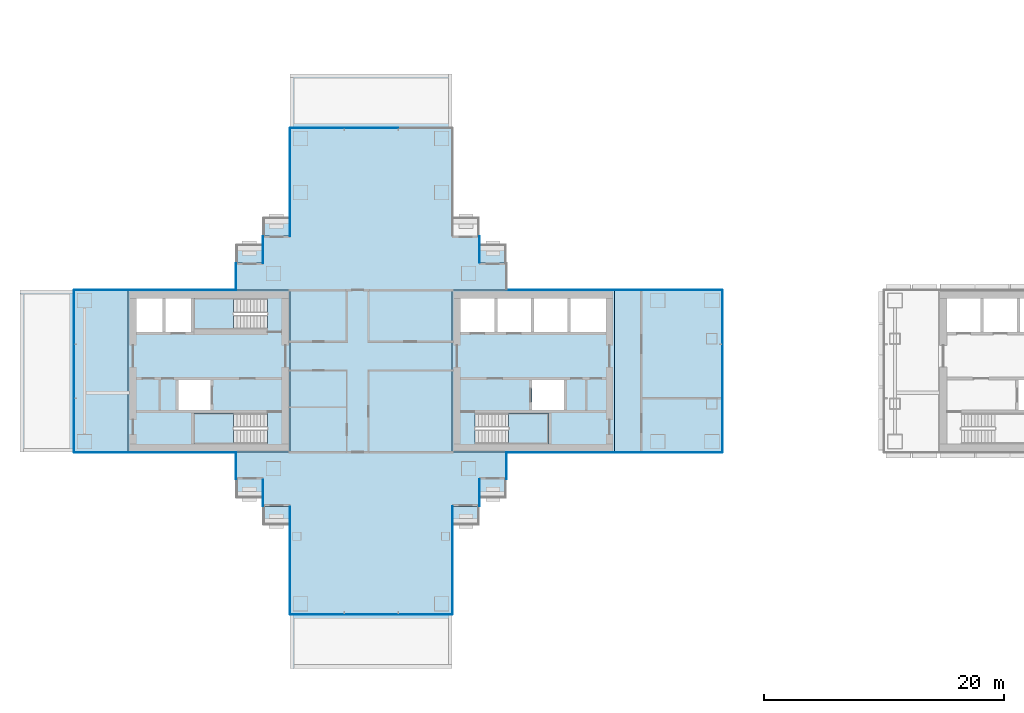
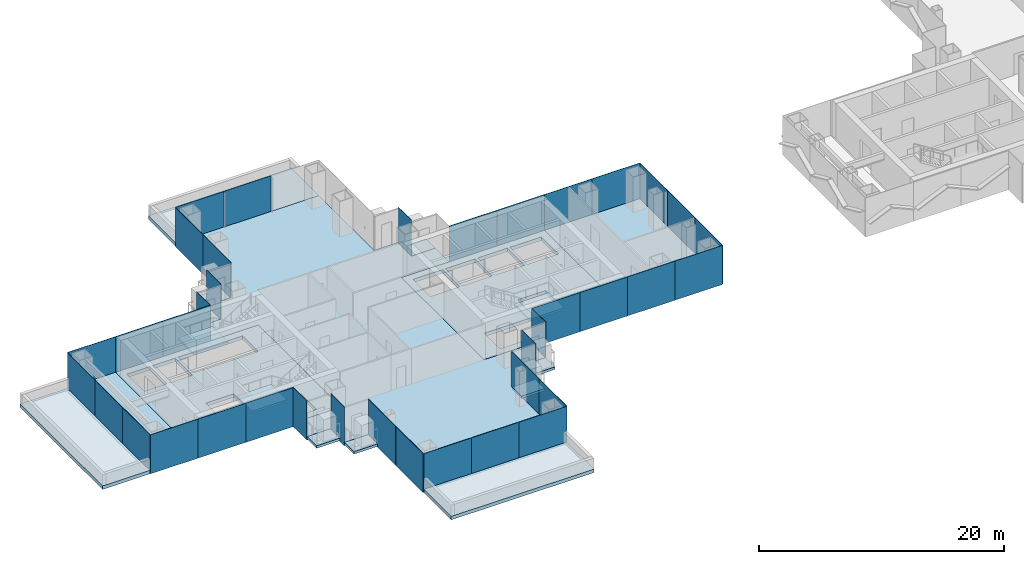
# One storey, part 8 of 20: 38 plates, 18 slabs, 22 elements without a shape of their own.
"""IFC4 building model written with IfcOpenShell, lengths in metres."""

from ifc_helpers import new_model, si_unit, direction, frame, origin, origin_2d, place, context, subcontext, project, spatial, polyline, rectangle, outline, extrude, material, layer, layer_set, type_object, element, aggregate, save


model = new_model("IFC4")

# Units and contexts
model_context = context("Model", 3, precision=1e-05, world=origin(), true_north=direction((0.0, 1.0)))
body_context = subcontext(model_context, "Body", "Model", "MODEL_VIEW")
ifc_project = project(units=[si_unit("LENGTHUNIT", "METRE"), si_unit("AREAUNIT", "SQUARE_METRE"), si_unit("VOLUMEUNIT", "CUBIC_METRE"), si_unit("PLANEANGLEUNIT", "RADIAN"), si_unit("MASSUNIT", "GRAM", prefix="KILO")], contexts=[model_context])

# Site, building, storey
site_placement = place(None, origin())
site = spatial("IfcSite", under=ifc_project, at=site_placement, CompositionType="ELEMENT")
building_placement = place(site_placement, origin())
building = spatial("IfcBuilding", under=site, at=building_placement, Name="Shamsa Quay Exchange Towers", CompositionType="ELEMENT")
storey_placement = place(building_placement, frame((0.0, 0.0, 81.89990234375)))
storey = spatial("IfcBuildingStorey", under=building, at=storey_placement, Name="L18", CompositionType="ELEMENT", Elevation=81.89990234375)

# Slabs
ifc_material_1 = material(Name="Precast concrete C40/50", Category="concrete")
ifc_layer_1 = layer(ifc_material_1, 0.25)
ifc_layer_set_1 = layer_set([ifc_layer_1], Name="BALCONY SLAB 250")
slab_type_1 = type_object("IfcSlabType", Name="BALCONY SLAB 250", PredefinedType="FLOOR", material=ifc_layer_set_1)
slab_1_placement = place(storey_placement, frame((0.0, 0.0, -0.25)))
element("IfcSlab", 1, at=slab_1_placement, inside=storey, type_object=slab_type_1, Name="Balcony T1-PKEN L18", PredefinedType="FLOOR", context=body_context, shape_type="SweptSolid", body=[
    extrude(outline(polyline([(-22.5, 9.0), (-24.7119140625, 9.0), (-24.7119140625, 10.550048828125), (-22.5, 10.550048828125), (-22.5, 9.0)])), origin(), (0.0, 0.0, 1.0), 0.25),
])
slab_2_placement = place(storey_placement, frame((0.0, 0.0, -0.25)))
element("IfcSlab", 2, at=slab_2_placement, inside=storey, type_object=slab_type_1, Name="Balcony T1-PKES L18", PredefinedType="FLOOR", context=body_context, shape_type="SweptSolid", body=[
    extrude(outline(polyline([(-24.7119140625, -9.0), (-22.5, -9.0), (-22.5, -10.550048828125), (-24.7119140625, -10.550048828125), (-24.7119140625, -9.0)])), origin(), (0.0, 0.0, 1.0), 0.25),
])
slab_3_placement = place(storey_placement, frame((0.0, 0.0, -0.25)))
element("IfcSlab", 3, at=slab_3_placement, inside=storey, type_object=slab_type_1, Name="Balcony T1-PKES L18", PredefinedType="FLOOR", context=body_context, shape_type="SweptSolid", body=[
    extrude(outline(polyline([(-26.9619140625, -11.25), (-24.75, -11.25), (-24.75, -12.800048828125), (-26.9619140625, -12.800048828125), (-26.9619140625, -11.25)])), origin(), (0.0, 0.0, 1.0), 0.25),
])
slab_4_placement = place(storey_placement, frame((0.0, 0.0, -0.25)))
element("IfcSlab", 4, at=slab_4_placement, inside=storey, type_object=slab_type_1, Name="Balcony T1-PKWN L18", PredefinedType="FLOOR", context=body_context, shape_type="SweptSolid", body=[
    extrude(outline(polyline([(-40.5380859375, 11.25), (-42.75, 11.25), (-42.75, 12.800048828125), (-40.5380859375, 12.800048828125), (-40.5380859375, 11.25)])), origin(), (0.0, 0.0, 1.0), 0.25),
])
slab_5_placement = place(storey_placement, frame((0.0, 0.0, -0.25)))
element("IfcSlab", 5, at=slab_5_placement, inside=storey, type_object=slab_type_1, Name="Balcony T1-PKWN L18", PredefinedType="FLOOR", context=body_context, shape_type="SweptSolid", body=[
    extrude(outline(polyline([(-42.7880859375, 9.0), (-45.0, 9.0), (-45.0, 10.550048828125), (-42.7880859375, 10.550048828125), (-42.7880859375, 9.0)])), origin(), (0.0, 0.0, 1.0), 0.25),
])
slab_6_placement = place(storey_placement, frame((0.0, 0.0, -0.25)))
element("IfcSlab", 6, at=slab_6_placement, inside=storey, type_object=slab_type_1, Name="Balcony T1-PKWS L18", PredefinedType="FLOOR", context=body_context, shape_type="SweptSolid", body=[
    extrude(outline(polyline([(-45.0, -9.0), (-42.7880859375, -9.0), (-42.7880859375, -10.550048828125), (-45.0, -10.550048828125), (-45.0, -9.0)])), origin(), (0.0, 0.0, 1.0), 0.25),
])
slab_7_placement = place(storey_placement, frame((0.0, 0.0, -0.25)))
element("IfcSlab", 7, at=slab_7_placement, inside=storey, type_object=slab_type_1, Name="Balcony T1-PKWS L18", PredefinedType="FLOOR", context=body_context, shape_type="SweptSolid", body=[
    extrude(outline(polyline([(-42.75, -11.25), (-40.5380859375, -11.25), (-40.5380859375, -12.800048828125), (-42.75, -12.800048828125), (-42.75, -11.25)])), origin(), (0.0, 0.0, 1.0), 0.25),
])
ifc_material_2 = material(Name="Concrete C50/60", Category="concrete")
ifc_layer_2 = layer(ifc_material_2, 0.35009765625)
ifc_layer_set_2 = layer_set([ifc_layer_2], Name="CORE FLOOR 350 C50/60")
slab_type_2 = type_object("IfcSlabType", Name="CORE FLOOR 350 C50/60", PredefinedType="FLOOR", material=ifc_layer_set_2)
slab_8_placement = place(storey_placement, frame((0.0, 0.0, -0.349853515625)))
element("IfcSlab", 8, at=slab_8_placement, inside=storey, type_object=slab_type_2, Name="Core floor T1A", PredefinedType="FLOOR", context=body_context, shape_type="SweptSolid", body=[
    extrude(outline(polyline([(-27.0, -6.75), (-13.5, -6.75), (-13.5, 6.75), (-27.0, 6.75), (-27.0, -6.75)]), holes=[polyline([(-25.099365234375, -6.050048828125), (-25.099365234375, -3.5), (-19.0, -3.5), (-19.0, -6.050048828125), (-25.099365234375, -6.050048828125)]), polyline([(-26.300048828125, 3.25), (-26.300048828125, 6.050048828125), (-23.5, 6.050048828125), (-23.5, 3.25), (-26.300048828125, 3.25)]), polyline([(-23.25, 3.25), (-23.25, 6.050048828125), (-20.449951171875, 6.050048828125), (-20.449951171875, 3.25), (-23.25, 3.25)]), polyline([(-20.199951171875, 3.25), (-20.199951171875, 6.050048828125), (-17.39990234375, 6.050048828125), (-17.39990234375, 3.25), (-20.199951171875, 3.25)]), polyline([(-17.14990234375, 3.25), (-17.14990234375, 6.050048828125), (-14.199951171875, 6.050048828125), (-14.199951171875, 3.25), (-17.14990234375, 3.25)]), polyline([(-20.35009765625, -3.25), (-20.35009765625, -0.75), (-17.699951171875, -0.75), (-17.699951171875, -3.25), (-20.35009765625, -3.25)])]), origin(), (0.0, 0.0, 1.0), 0.349853515625),
])
slab_9_placement = place(storey_placement, frame((0.0, 0.0, -0.349853515625)))
element("IfcSlab", 9, at=slab_9_placement, inside=storey, type_object=slab_type_2, Name="Core floor T1B", PredefinedType="FLOOR", context=body_context, shape_type="SweptSolid", body=[
    extrude(outline(polyline([(-40.5, -6.75), (-40.5, 6.75), (-54.0, 6.75), (-54.0, -6.75), (-40.5, -6.75)]), holes=[polyline([(-42.400634765625, -3.5), (-42.400634765625, -6.050048828125), (-48.5, -6.050048828125), (-48.5, -3.5), (-42.400634765625, -3.5)]), polyline([(-42.400634765625, 6.050048828125), (-42.400634765625, 3.5), (-48.5, 3.5), (-48.5, 6.050048828125), (-42.400634765625, 6.050048828125)]), polyline([(-48.75, 3.25), (-50.89990234375, 3.25), (-50.89990234375, 6.050048828125), (-48.75, 6.050048828125), (-48.75, 3.25)]), polyline([(-51.14990234375, 3.25), (-53.300048828125, 3.25), (-53.300048828125, 6.050048828125), (-51.14990234375, 6.050048828125), (-51.14990234375, 3.25)]), polyline([(-47.14990234375, -3.25), (-49.800048828125, -3.25), (-49.800048828125, -0.75), (-47.14990234375, -0.75), (-47.14990234375, -3.25)])]), origin(), (0.0, 0.0, 1.0), 0.349853515625),
])

# Stair, slab
ifc_material_3 = material(Name="Concrete C40/50", Category="concrete")
stair_type = type_object("IfcStairType", Name="EXIT STAIR 22 RISERS 177 MM", PredefinedType="HALF_TURN_STAIR", material=ifc_material_3)
stair_1_placement = place(storey_placement, origin())
stair_1 = element("IfcStair", 10, at=stair_1_placement, inside=storey, type_object=stair_type, Name="L18 Exit stair ST1", PredefinedType="HALF_TURN_STAIR")
ifc_layer_3 = layer(ifc_material_3, 0.199951171875)
ifc_layer_set_3 = layer_set([ifc_layer_3], Name="CORE STAIR LANDING")
slab_type_3 = type_object("IfcSlabType", Name="CORE STAIR LANDING", PredefinedType="LANDING", material=ifc_layer_set_3)
slab_10_placement = place(storey_placement, frame((0.0, 0.0, 1.75)))
slab_10 = element("IfcSlab", 11, at=slab_10_placement, type_object=slab_type_3, Name="ST1 landing 1", PredefinedType="LANDING", context=body_context, shape_type="SweptSolid", body=[
    extrude(outline(polyline([(-22.300048828125, -6.050048828125), (-19.0, -6.050048828125), (-19.0, -3.5), (-22.300048828125, -3.5), (-22.300048828125, -6.050048828125)])), origin(), (0.0, 0.0, 1.0), 0.2001953125),
])
aggregate(stair_1, [slab_10])

stair_2_placement = place(storey_placement, origin())
stair_2 = element("IfcStair", 12, at=stair_2_placement, inside=storey, type_object=stair_type, Name="L18 Exit stair ST2", PredefinedType="HALF_TURN_STAIR")
slab_11_placement = place(storey_placement, frame((0.0, 0.0, 1.75)))
slab_11 = element("IfcSlab", 13, at=slab_11_placement, type_object=slab_type_3, Name="ST2 landing 1", PredefinedType="LANDING", context=body_context, shape_type="SweptSolid", body=[
    extrude(outline(polyline([(-45.199951171875, -3.5), (-48.5, -3.5), (-48.5, -6.050048828125), (-45.199951171875, -6.050048828125), (-45.199951171875, -3.5)])), origin(), (0.0, 0.0, 1.0), 0.2001953125),
])
aggregate(stair_2, [slab_11])

stair_3_placement = place(storey_placement, origin())
stair_3 = element("IfcStair", 14, at=stair_3_placement, inside=storey, type_object=stair_type, Name="L18 Exit stair ST3", PredefinedType="HALF_TURN_STAIR")
slab_12_placement = place(storey_placement, frame((0.0, 0.0, 1.75)))
slab_12 = element("IfcSlab", 15, at=slab_12_placement, type_object=slab_type_3, Name="ST3 landing 1", PredefinedType="LANDING", context=body_context, shape_type="SweptSolid", body=[
    extrude(outline(polyline([(-45.199951171875, 6.050048828125), (-48.5, 6.050048828125), (-48.5, 3.5), (-45.199951171875, 3.5), (-45.199951171875, 6.050048828125)])), origin(), (0.0, 0.0, 1.0), 0.2001953125),
])
aggregate(stair_3, [slab_12])

# Curtain wall, plates
ifc_material_4 = material(Name="Aluminium EN AW-6063 T6, black anodised", Category="aluminium")
ifc_layer_4 = layer(ifc_material_4, 0.280029296875)
ifc_layer_set_4 = layer_set([ifc_layer_4], Name="CW-1 UNITISED VISION GLASS")
curtain_wall_type_1 = type_object("IfcCurtainWallType", Name="CW-1 UNITISED VISION GLASS", PredefinedType="NOTDEFINED", material=ifc_layer_set_4)
curtain_wall_1_placement = place(storey_placement, origin())
curtain_wall_1 = element("IfcCurtainWall", 16, at=curtain_wall_1_placement, inside=storey, type_object=curtain_wall_type_1, Name="CW1 T1-FLK-V-W L18", PredefinedType="NOTDEFINED")
ifc_material_5 = material(Name="Glass, laminated, dark tinted", Category="glass")
ifc_layer_5 = layer(ifc_material_5, 0.0400390625)
ifc_layer_set_5 = layer_set([ifc_layer_5], Name="CW-1 VISION GLASS 40")
plate_type_1 = type_object("IfcPlateType", Name="CW-1 VISION GLASS 40", PredefinedType="CURTAIN_PANEL", material=ifc_layer_set_5)
plate_1_placement = place(storey_placement, frame((-40.52001953125, -13.52587890625, -0.349853515625), z_axis=(0.0, 0.0, 1.0), x_axis=(0.0, -1.0, 0.0)))
plate_1 = element("IfcPlate", 17, at=plate_1_placement, type_object=plate_type_1, Name="CW1 glass panel", PredefinedType="CURTAIN_PANEL", context=body_context, shape_type="SweptSolid", body=[
    extrude(rectangle(XDim=4.47607421875, YDim=0.0400390625, at=origin_2d()), origin(), (0.0, 0.0, 1.0), 3.89990234375),
])
plate_2_placement = place(storey_placement, frame((-40.52001953125, -18.011962890625, -0.349853515625), z_axis=(0.0, 0.0, 1.0), x_axis=(0.0, -1.0, 0.0)))
plate_2 = element("IfcPlate", 18, at=plate_2_placement, type_object=plate_type_1, Name="CW1 glass panel", PredefinedType="CURTAIN_PANEL", context=body_context, shape_type="SweptSolid", body=[
    extrude(rectangle(XDim=4.47607421875, YDim=0.0400390625, at=origin_2d()), origin(), (0.0, 0.0, 1.0), 3.89990234375),
])
aggregate(curtain_wall_1, [plate_1, plate_2])

curtain_wall_2_placement = place(storey_placement, origin())
curtain_wall_2 = element("IfcCurtainWall", 19, at=curtain_wall_2_placement, inside=storey, type_object=curtain_wall_type_1, Name="CW1 T1-END-V- L18", PredefinedType="NOTDEFINED")
plate_3_placement = place(storey_placement, frame((-38.25244140625, -20.27001953125, -0.349853515625)))
plate_3 = element("IfcPlate", 20, at=plate_3_placement, type_object=plate_type_1, Name="CW1 glass panel", PredefinedType="CURTAIN_PANEL", context=body_context, shape_type="SweptSolid", body=[
    extrude(rectangle(XDim=4.4951171875, YDim=0.0400390625, at=origin_2d()), origin(), (0.0, 0.0, 1.0), 3.89990234375),
])
plate_4_placement = place(storey_placement, frame((-33.75, -20.27001953125, -0.349853515625)))
plate_4 = element("IfcPlate", 21, at=plate_4_placement, type_object=plate_type_1, Name="CW1 glass panel", PredefinedType="CURTAIN_PANEL", context=body_context, shape_type="SweptSolid", body=[
    extrude(rectangle(XDim=4.489990234375, YDim=0.0400390625, at=origin_2d()), origin(), (0.0, 0.0, 1.0), 3.89990234375),
])
plate_5_placement = place(storey_placement, frame((-29.24755859375, -20.27001953125, -0.349853515625)))
plate_5 = element("IfcPlate", 22, at=plate_5_placement, type_object=plate_type_1, Name="CW1 glass panel", PredefinedType="CURTAIN_PANEL", context=body_context, shape_type="SweptSolid", body=[
    extrude(rectangle(XDim=4.4951171875, YDim=0.0400390625, at=origin_2d()), origin(), (0.0, 0.0, 1.0), 3.89990234375),
])
aggregate(curtain_wall_2, [plate_3, plate_4, plate_5])

curtain_wall_3_placement = place(storey_placement, origin())
curtain_wall_3 = element("IfcCurtainWall", 23, at=curtain_wall_3_placement, inside=storey, type_object=curtain_wall_type_1, Name="CW1 T1-FLK-V-E L18", PredefinedType="NOTDEFINED")
plate_6_placement = place(storey_placement, frame((-26.97998046875, -18.00244140625, -0.349853515625), z_axis=(0.0, 0.0, 1.0), x_axis=(0.0, 1.0, 0.0)))
plate_6 = element("IfcPlate", 24, at=plate_6_placement, type_object=plate_type_1, Name="CW1 glass panel", PredefinedType="CURTAIN_PANEL", context=body_context, shape_type="SweptSolid", body=[
    extrude(rectangle(XDim=4.4951171875, YDim=0.0400390625, at=origin_2d()), origin(), (0.0, 0.0, 1.0), 3.89990234375),
])
plate_7_placement = place(storey_placement, frame((-26.97998046875, -13.49755859375, -0.349853515625), z_axis=(0.0, 0.0, 1.0), x_axis=(0.0, 1.0, 0.0)))
plate_7 = element("IfcPlate", 25, at=plate_7_placement, type_object=plate_type_1, Name="CW1 glass panel", PredefinedType="CURTAIN_PANEL", context=body_context, shape_type="SweptSolid", body=[
    extrude(rectangle(XDim=4.4951171875, YDim=0.0400390625, at=origin_2d()), origin(), (0.0, 0.0, 1.0), 3.89990234375),
])
aggregate(curtain_wall_3, [plate_6, plate_7])

curtain_wall_4_placement = place(storey_placement, origin())
curtain_wall_4 = element("IfcCurtainWall", 26, at=curtain_wall_4_placement, inside=storey, type_object=curtain_wall_type_1, Name="CW1 T1-FLK-U+S L18", PredefinedType="NOTDEFINED")
plate_8_placement = place(storey_placement, frame((-11.25244140625, -6.77001953125, -0.349853515625)))
plate_8 = element("IfcPlate", 27, at=plate_8_placement, type_object=plate_type_1, Name="CW1 glass panel", PredefinedType="CURTAIN_PANEL", context=body_context, shape_type="SweptSolid", body=[
    extrude(rectangle(XDim=4.4951171875, YDim=0.0400390625, at=origin_2d()), origin(), (0.0, 0.0, 1.0), 3.89990234375),
])
plate_9_placement = place(storey_placement, frame((-6.74755859375, -6.77001953125, -0.349853515625)))
plate_9 = element("IfcPlate", 28, at=plate_9_placement, type_object=plate_type_1, Name="CW1 glass panel", PredefinedType="CURTAIN_PANEL", context=body_context, shape_type="SweptSolid", body=[
    extrude(rectangle(XDim=4.4951171875, YDim=0.0400390625, at=origin_2d()), origin(), (0.0, 0.0, 1.0), 3.89990234375),
])
aggregate(curtain_wall_4, [plate_8, plate_9])

curtain_wall_5_placement = place(storey_placement, origin())
curtain_wall_5 = element("IfcCurtainWall", 29, at=curtain_wall_5_placement, inside=storey, type_object=curtain_wall_type_1, Name="CW1 T1-END-U+ L18", PredefinedType="NOTDEFINED")
plate_10_placement = place(storey_placement, frame((-4.47998046875, -4.50244140625, -0.349853515625), z_axis=(0.0, 0.0, 1.0), x_axis=(0.0, 1.0, 0.0)))
plate_10 = element("IfcPlate", 30, at=plate_10_placement, type_object=plate_type_1, Name="CW1 glass panel", PredefinedType="CURTAIN_PANEL", context=body_context, shape_type="SweptSolid", body=[
    extrude(rectangle(XDim=4.4951171875, YDim=0.0400390625, at=origin_2d()), origin(), (0.0, 0.0, 1.0), 3.89990234375),
])
plate_11_placement = place(storey_placement, frame((-4.47998046875, 0.0, -0.349853515625), z_axis=(0.0, 0.0, 1.0), x_axis=(0.0, 1.0, 0.0)))
plate_11 = element("IfcPlate", 31, at=plate_11_placement, type_object=plate_type_1, Name="CW1 glass panel", PredefinedType="CURTAIN_PANEL", context=body_context, shape_type="SweptSolid", body=[
    extrude(rectangle(XDim=4.489990234375, YDim=0.0400390625, at=origin_2d()), origin(), (0.0, 0.0, 1.0), 3.89990234375),
])
plate_12_placement = place(storey_placement, frame((-4.47998046875, 4.50244140625, -0.349853515625), z_axis=(0.0, 0.0, 1.0), x_axis=(0.0, 1.0, 0.0)))
plate_12 = element("IfcPlate", 32, at=plate_12_placement, type_object=plate_type_1, Name="CW1 glass panel", PredefinedType="CURTAIN_PANEL", context=body_context, shape_type="SweptSolid", body=[
    extrude(rectangle(XDim=4.4951171875, YDim=0.0400390625, at=origin_2d()), origin(), (0.0, 0.0, 1.0), 3.89990234375),
])
aggregate(curtain_wall_5, [plate_10, plate_11, plate_12])

curtain_wall_6_placement = place(storey_placement, origin())
curtain_wall_6 = element("IfcCurtainWall", 33, at=curtain_wall_6_placement, inside=storey, type_object=curtain_wall_type_1, Name="CW1 T1-FLK-U+N L18", PredefinedType="NOTDEFINED")
plate_13_placement = place(storey_placement, frame((-6.74755859375, 6.77001953125, -0.349853515625), z_axis=(0.0, 0.0, 1.0), x_axis=(-1.0, 0.0, 0.0)))
plate_13 = element("IfcPlate", 34, at=plate_13_placement, type_object=plate_type_1, Name="CW1 glass panel", PredefinedType="CURTAIN_PANEL", context=body_context, shape_type="SweptSolid", body=[
    extrude(rectangle(XDim=4.4951171875, YDim=0.0400390625, at=origin_2d()), origin(), (0.0, 0.0, 1.0), 3.89990234375),
])
plate_14_placement = place(storey_placement, frame((-11.25244140625, 6.77001953125, -0.349853515625), z_axis=(0.0, 0.0, 1.0), x_axis=(-1.0, 0.0, 0.0)))
plate_14 = element("IfcPlate", 35, at=plate_14_placement, type_object=plate_type_1, Name="CW1 glass panel", PredefinedType="CURTAIN_PANEL", context=body_context, shape_type="SweptSolid", body=[
    extrude(rectangle(XDim=4.4951171875, YDim=0.0400390625, at=origin_2d()), origin(), (0.0, 0.0, 1.0), 3.89990234375),
])
aggregate(curtain_wall_6, [plate_13, plate_14])

curtain_wall_7_placement = place(storey_placement, origin())
curtain_wall_7 = element("IfcCurtainWall", 36, at=curtain_wall_7_placement, inside=storey, type_object=curtain_wall_type_1, Name="CW1 T1-END-V+ L18", PredefinedType="NOTDEFINED")
plate_15_placement = place(storey_placement, frame((-33.75, 20.27001953125, -0.349853515625), z_axis=(0.0, 0.0, 1.0), x_axis=(-1.0, 0.0, 0.0)))
plate_15 = element("IfcPlate", 37, at=plate_15_placement, type_object=plate_type_1, Name="CW1 glass panel", PredefinedType="CURTAIN_PANEL", context=body_context, shape_type="SweptSolid", body=[
    extrude(rectangle(XDim=4.489990234375, YDim=0.0400390625, at=origin_2d()), origin(), (0.0, 0.0, 1.0), 3.89990234375),
])
plate_16_placement = place(storey_placement, frame((-38.25244140625, 20.27001953125, -0.349853515625), z_axis=(0.0, 0.0, 1.0), x_axis=(-1.0, 0.0, 0.0)))
plate_16 = element("IfcPlate", 38, at=plate_16_placement, type_object=plate_type_1, Name="CW1 glass panel", PredefinedType="CURTAIN_PANEL", context=body_context, shape_type="SweptSolid", body=[
    extrude(rectangle(XDim=4.4951171875, YDim=0.0400390625, at=origin_2d()), origin(), (0.0, 0.0, 1.0), 3.89990234375),
])
aggregate(curtain_wall_7, [plate_15, plate_16])

curtain_wall_8_placement = place(storey_placement, origin())
curtain_wall_8 = element("IfcCurtainWall", 39, at=curtain_wall_8_placement, inside=storey, type_object=curtain_wall_type_1, Name="CW1 T1-FLK-V+W L18", PredefinedType="NOTDEFINED")
plate_17_placement = place(storey_placement, frame((-40.52001953125, 18.00244140625, -0.349853515625), z_axis=(0.0, 0.0, 1.0), x_axis=(0.0, -1.0, 0.0)))
plate_17 = element("IfcPlate", 40, at=plate_17_placement, type_object=plate_type_1, Name="CW1 glass panel", PredefinedType="CURTAIN_PANEL", context=body_context, shape_type="SweptSolid", body=[
    extrude(rectangle(XDim=4.4951171875, YDim=0.0400390625, at=origin_2d()), origin(), (0.0, 0.0, 1.0), 3.89990234375),
])
plate_18_placement = place(storey_placement, frame((-40.52001953125, 13.49755859375, -0.349853515625), z_axis=(0.0, 0.0, 1.0), x_axis=(0.0, -1.0, 0.0)))
plate_18 = element("IfcPlate", 41, at=plate_18_placement, type_object=plate_type_1, Name="CW1 glass panel", PredefinedType="CURTAIN_PANEL", context=body_context, shape_type="SweptSolid", body=[
    extrude(rectangle(XDim=4.4951171875, YDim=0.0400390625, at=origin_2d()), origin(), (0.0, 0.0, 1.0), 3.89990234375),
])
aggregate(curtain_wall_8, [plate_17, plate_18])

# Curtain wall, plate
curtain_wall_9_placement = place(storey_placement, origin())
curtain_wall_9 = element("IfcCurtainWall", 42, at=curtain_wall_9_placement, inside=storey, type_object=curtain_wall_type_1, Name="CW1 T1-FLK-U-N L18", PredefinedType="NOTDEFINED")
plate_19_placement = place(storey_placement, frame((-56.25, 6.77001953125, -0.349853515625), z_axis=(0.0, 0.0, 1.0), x_axis=(-1.0, 0.0, 0.0)))
plate_19 = element("IfcPlate", 43, at=plate_19_placement, type_object=plate_type_1, Name="CW1 glass panel", PredefinedType="CURTAIN_PANEL", context=body_context, shape_type="SweptSolid", body=[
    extrude(rectangle(XDim=4.5, YDim=0.0400390625, at=origin_2d()), origin(), (0.0, 0.0, 1.0), 3.89990234375),
])
aggregate(curtain_wall_9, [plate_19])

# Curtain wall, plates
curtain_wall_10_placement = place(storey_placement, origin())
curtain_wall_10 = element("IfcCurtainWall", 44, at=curtain_wall_10_placement, inside=storey, type_object=curtain_wall_type_1, Name="CW1 T1-END-U- L18", PredefinedType="NOTDEFINED")
plate_20_placement = place(storey_placement, frame((-58.52001953125, 4.50244140625, -0.349853515625), z_axis=(0.0, 0.0, 1.0), x_axis=(0.0, -1.0, 0.0)))
plate_20 = element("IfcPlate", 45, at=plate_20_placement, type_object=plate_type_1, Name="CW1 glass panel", PredefinedType="CURTAIN_PANEL", context=body_context, shape_type="SweptSolid", body=[
    extrude(rectangle(XDim=4.4951171875, YDim=0.0400390625, at=origin_2d()), origin(), (0.0, 0.0, 1.0), 3.89990234375),
])
plate_21_placement = place(storey_placement, frame((-58.52001953125, 0.0, -0.349853515625), z_axis=(0.0, 0.0, 1.0), x_axis=(0.0, -1.0, 0.0)))
plate_21 = element("IfcPlate", 46, at=plate_21_placement, type_object=plate_type_1, Name="CW1 glass panel", PredefinedType="CURTAIN_PANEL", context=body_context, shape_type="SweptSolid", body=[
    extrude(rectangle(XDim=4.489990234375, YDim=0.0400390625, at=origin_2d()), origin(), (0.0, 0.0, 1.0), 3.89990234375),
])
plate_22_placement = place(storey_placement, frame((-58.52001953125, -4.50244140625, -0.349853515625), z_axis=(0.0, 0.0, 1.0), x_axis=(0.0, -1.0, 0.0)))
plate_22 = element("IfcPlate", 47, at=plate_22_placement, type_object=plate_type_1, Name="CW1 glass panel", PredefinedType="CURTAIN_PANEL", context=body_context, shape_type="SweptSolid", body=[
    extrude(rectangle(XDim=4.4951171875, YDim=0.0400390625, at=origin_2d()), origin(), (0.0, 0.0, 1.0), 3.89990234375),
])
aggregate(curtain_wall_10, [plate_20, plate_21, plate_22])

# Curtain wall, plate
curtain_wall_11_placement = place(storey_placement, origin())
curtain_wall_11 = element("IfcCurtainWall", 48, at=curtain_wall_11_placement, inside=storey, type_object=curtain_wall_type_1, Name="CW1 T1-FLK-U-S L18", PredefinedType="NOTDEFINED")
plate_23_placement = place(storey_placement, frame((-56.25, -6.77001953125, -0.349853515625)))
plate_23 = element("IfcPlate", 49, at=plate_23_placement, type_object=plate_type_1, Name="CW1 glass panel", PredefinedType="CURTAIN_PANEL", context=body_context, shape_type="SweptSolid", body=[
    extrude(rectangle(XDim=4.5, YDim=0.0400390625, at=origin_2d()), origin(), (0.0, 0.0, 1.0), 3.89990234375),
])
aggregate(curtain_wall_11, [plate_23])

# Curtain wall, plates
ifc_layer_6 = layer(ifc_material_4, 0.303955078125)
ifc_layer_set_6 = layer_set([ifc_layer_6], Name="CW-2 UNITISED OPAQUE SPANDREL GLASS")
curtain_wall_type_2 = type_object("IfcCurtainWallType", Name="CW-2 UNITISED OPAQUE SPANDREL GLASS", PredefinedType="NOTDEFINED", material=ifc_layer_set_6)
curtain_wall_12_placement = place(storey_placement, origin())
curtain_wall_12 = element("IfcCurtainWall", 50, at=curtain_wall_12_placement, inside=storey, type_object=curtain_wall_type_2, Name="CW2 T1-FLK-U+S L18", PredefinedType="NOTDEFINED")
ifc_material_6 = material(Name="Glass, laminated, black enamelled opaque", Category="glass")
ifc_layer_7 = layer(ifc_material_6, 0.0439453125)
ifc_layer_set_7 = layer_set([ifc_layer_7], Name="CW-2 SPANDREL GLASS 44")
plate_type_2 = type_object("IfcPlateType", Name="CW-2 SPANDREL GLASS 44", PredefinedType="CURTAIN_PANEL", material=ifc_layer_set_7)
plate_24_placement = place(storey_placement, frame((-20.22412109375, -6.77197265625, -0.349853515625)))
plate_24 = element("IfcPlate", 51, at=plate_24_placement, type_object=plate_type_2, Name="CW2 glass panel", PredefinedType="CURTAIN_PANEL", context=body_context, shape_type="SweptSolid", body=[
    extrude(rectangle(XDim=4.47607421875, YDim=0.0439453125, at=origin_2d()), origin(), (0.0, 0.0, 1.0), 3.89990234375),
])
plate_25_placement = place(storey_placement, frame((-15.738037109375, -6.77197265625, -0.349853515625)))
plate_25 = element("IfcPlate", 52, at=plate_25_placement, type_object=plate_type_2, Name="CW2 glass panel", PredefinedType="CURTAIN_PANEL", context=body_context, shape_type="SweptSolid", body=[
    extrude(rectangle(XDim=4.47607421875, YDim=0.0439453125, at=origin_2d()), origin(), (0.0, 0.0, 1.0), 3.89990234375),
])
aggregate(curtain_wall_12, [plate_24, plate_25])

curtain_wall_13_placement = place(storey_placement, origin())
curtain_wall_13 = element("IfcCurtainWall", 53, at=curtain_wall_13_placement, inside=storey, type_object=curtain_wall_type_2, Name="CW2 T1-FLK-U+N L18", PredefinedType="NOTDEFINED")
plate_26_placement = place(storey_placement, frame((-15.74755859375, 6.77197265625, -0.349853515625), z_axis=(0.0, 0.0, 1.0), x_axis=(-1.0, 0.0, 0.0)))
plate_26 = element("IfcPlate", 54, at=plate_26_placement, type_object=plate_type_2, Name="CW2 glass panel", PredefinedType="CURTAIN_PANEL", context=body_context, shape_type="SweptSolid", body=[
    extrude(rectangle(XDim=4.4951171875, YDim=0.0439453125, at=origin_2d()), origin(), (0.0, 0.0, 1.0), 3.89990234375),
])
plate_27_placement = place(storey_placement, frame((-20.25244140625, 6.77197265625, -0.349853515625), z_axis=(0.0, 0.0, 1.0), x_axis=(-1.0, 0.0, 0.0)))
plate_27 = element("IfcPlate", 55, at=plate_27_placement, type_object=plate_type_2, Name="CW2 glass panel", PredefinedType="CURTAIN_PANEL", context=body_context, shape_type="SweptSolid", body=[
    extrude(rectangle(XDim=4.4951171875, YDim=0.0439453125, at=origin_2d()), origin(), (0.0, 0.0, 1.0), 3.89990234375),
])
aggregate(curtain_wall_13, [plate_26, plate_27])

curtain_wall_14_placement = place(storey_placement, origin())
curtain_wall_14 = element("IfcCurtainWall", 56, at=curtain_wall_14_placement, inside=storey, type_object=curtain_wall_type_2, Name="CW2 T1-FLK-U-N L18", PredefinedType="NOTDEFINED")
plate_28_placement = place(storey_placement, frame((-47.27587890625, 6.77197265625, -0.349853515625), z_axis=(0.0, 0.0, 1.0), x_axis=(-1.0, 0.0, 0.0)))
plate_28 = element("IfcPlate", 57, at=plate_28_placement, type_object=plate_type_2, Name="CW2 glass panel", PredefinedType="CURTAIN_PANEL", context=body_context, shape_type="SweptSolid", body=[
    extrude(rectangle(XDim=4.47607421875, YDim=0.0439453125, at=origin_2d()), origin(), (0.0, 0.0, 1.0), 3.89990234375),
])
plate_29_placement = place(storey_placement, frame((-51.761962890625, 6.77197265625, -0.349853515625), z_axis=(0.0, 0.0, 1.0), x_axis=(-1.0, 0.0, 0.0)))
plate_29 = element("IfcPlate", 58, at=plate_29_placement, type_object=plate_type_2, Name="CW2 glass panel", PredefinedType="CURTAIN_PANEL", context=body_context, shape_type="SweptSolid", body=[
    extrude(rectangle(XDim=4.47607421875, YDim=0.0439453125, at=origin_2d()), origin(), (0.0, 0.0, 1.0), 3.89990234375),
])
aggregate(curtain_wall_14, [plate_28, plate_29])

curtain_wall_15_placement = place(storey_placement, origin())
curtain_wall_15 = element("IfcCurtainWall", 59, at=curtain_wall_15_placement, inside=storey, type_object=curtain_wall_type_2, Name="CW2 T1-FLK-U-S L18", PredefinedType="NOTDEFINED")
plate_30_placement = place(storey_placement, frame((-51.75244140625, -6.77197265625, -0.349853515625)))
plate_30 = element("IfcPlate", 60, at=plate_30_placement, type_object=plate_type_2, Name="CW2 glass panel", PredefinedType="CURTAIN_PANEL", context=body_context, shape_type="SweptSolid", body=[
    extrude(rectangle(XDim=4.4951171875, YDim=0.0439453125, at=origin_2d()), origin(), (0.0, 0.0, 1.0), 3.89990234375),
])
plate_31_placement = place(storey_placement, frame((-47.24755859375, -6.77197265625, -0.349853515625)))
plate_31 = element("IfcPlate", 61, at=plate_31_placement, type_object=plate_type_2, Name="CW2 glass panel", PredefinedType="CURTAIN_PANEL", context=body_context, shape_type="SweptSolid", body=[
    extrude(rectangle(XDim=4.4951171875, YDim=0.0439453125, at=origin_2d()), origin(), (0.0, 0.0, 1.0), 3.89990234375),
])
aggregate(curtain_wall_15, [plate_30, plate_31])

ifc_layer_8 = layer(ifc_material_4, 0.256103515625)
ifc_layer_set_8 = layer_set([ifc_layer_8], Name="CW-4 POCKET SERRATED GLAZING")
curtain_wall_type_3 = type_object("IfcCurtainWallType", Name="CW-4 POCKET SERRATED GLAZING", PredefinedType="NOTDEFINED", material=ifc_layer_set_8)
curtain_wall_16_placement = place(storey_placement, origin())
curtain_wall_16 = element("IfcCurtainWall", 62, at=curtain_wall_16_placement, inside=storey, type_object=curtain_wall_type_3, Name="CW4 PKWS L18", PredefinedType="NOTDEFINED")
ifc_layer_9 = layer(ifc_material_5, 0.035888671875)
ifc_layer_set_9 = layer_set([ifc_layer_9], Name="CW-4 POCKET GLASS 36")
plate_type_3 = type_object("IfcPlateType", Name="CW-4 POCKET GLASS 36", PredefinedType="CURTAIN_PANEL", material=ifc_layer_set_9)
plate_32_placement = place(storey_placement, frame((-42.76806640625, -10.14404296875, -0.349853515625), z_axis=(0.0, 0.0, 1.0), x_axis=(0.0, -1.0, 0.0)))
plate_32 = element("IfcPlate", 63, at=plate_32_placement, type_object=plate_type_3, Name="CW4 glass panel", PredefinedType="CURTAIN_PANEL", context=body_context, shape_type="SweptSolid", body=[
    extrude(rectangle(XDim=2.2119140625, YDim=0.035888671875, at=origin_2d()), origin(), (0.0, 0.0, 1.0), 3.89990234375),
])
plate_33_placement = place(storey_placement, frame((-45.01806640625, -7.89794921875, -0.349853515625), z_axis=(0.0, 0.0, 1.0), x_axis=(0.0, -1.0, 0.0)))
plate_33 = element("IfcPlate", 64, at=plate_33_placement, type_object=plate_type_3, Name="CW4 glass panel", PredefinedType="CURTAIN_PANEL", context=body_context, shape_type="SweptSolid", body=[
    extrude(rectangle(XDim=2.2041015625, YDim=0.035888671875, at=origin_2d()), origin(), (0.0, 0.0, 1.0), 3.89990234375),
])
aggregate(curtain_wall_16, [plate_32, plate_33])

curtain_wall_17_placement = place(storey_placement, origin())
curtain_wall_17 = element("IfcCurtainWall", 65, at=curtain_wall_17_placement, inside=storey, type_object=curtain_wall_type_3, Name="CW4 PKES L18", PredefinedType="NOTDEFINED")
plate_34_placement = place(storey_placement, frame((-24.73193359375, -10.125, -0.349853515625), z_axis=(0.0, 0.0, 1.0), x_axis=(0.0, 1.0, 0.0)))
plate_34 = element("IfcPlate", 66, at=plate_34_placement, type_object=plate_type_3, Name="CW4 glass panel", PredefinedType="CURTAIN_PANEL", context=body_context, shape_type="SweptSolid", body=[
    extrude(rectangle(XDim=2.25, YDim=0.035888671875, at=origin_2d()), origin(), (0.0, 0.0, 1.0), 3.89990234375),
])
plate_35_placement = place(storey_placement, frame((-22.48193359375, -7.875, -0.349853515625), z_axis=(0.0, 0.0, 1.0), x_axis=(0.0, 1.0, 0.0)))
plate_35 = element("IfcPlate", 67, at=plate_35_placement, type_object=plate_type_3, Name="CW4 glass panel", PredefinedType="CURTAIN_PANEL", context=body_context, shape_type="SweptSolid", body=[
    extrude(rectangle(XDim=2.25, YDim=0.035888671875, at=origin_2d()), origin(), (0.0, 0.0, 1.0), 3.89990234375),
])
aggregate(curtain_wall_17, [plate_34, plate_35])

# Curtain wall, plate
curtain_wall_18_placement = place(storey_placement, origin())
curtain_wall_18 = element("IfcCurtainWall", 68, at=curtain_wall_18_placement, inside=storey, type_object=curtain_wall_type_3, Name="CW4 PKEN L18", PredefinedType="NOTDEFINED")
plate_36_placement = place(storey_placement, frame((-24.73193359375, 10.14404296875, -0.349853515625), z_axis=(0.0, 0.0, 1.0), x_axis=(0.0, 1.0, 0.0)))
plate_36 = element("IfcPlate", 69, at=plate_36_placement, type_object=plate_type_3, Name="CW4 glass panel", PredefinedType="CURTAIN_PANEL", context=body_context, shape_type="SweptSolid", body=[
    extrude(rectangle(XDim=2.2119140625, YDim=0.035888671875, at=origin_2d()), origin(), (0.0, 0.0, 1.0), 3.89990234375),
])
aggregate(curtain_wall_18, [plate_36])

# Curtain wall, plates
curtain_wall_19_placement = place(storey_placement, origin())
curtain_wall_19 = element("IfcCurtainWall", 70, at=curtain_wall_19_placement, inside=storey, type_object=curtain_wall_type_3, Name="CW4 PKWN L18", PredefinedType="NOTDEFINED")
plate_37_placement = place(storey_placement, frame((-42.76806640625, 10.125, -0.349853515625), z_axis=(0.0, 0.0, 1.0), x_axis=(0.0, -1.0, 0.0)))
plate_37 = element("IfcPlate", 71, at=plate_37_placement, type_object=plate_type_3, Name="CW4 glass panel", PredefinedType="CURTAIN_PANEL", context=body_context, shape_type="SweptSolid", body=[
    extrude(rectangle(XDim=2.25, YDim=0.035888671875, at=origin_2d()), origin(), (0.0, 0.0, 1.0), 3.89990234375),
])
plate_38_placement = place(storey_placement, frame((-45.01806640625, 7.875, -0.349853515625), z_axis=(0.0, 0.0, 1.0), x_axis=(0.0, -1.0, 0.0)))
plate_38 = element("IfcPlate", 72, at=plate_38_placement, type_object=plate_type_3, Name="CW4 glass panel", PredefinedType="CURTAIN_PANEL", context=body_context, shape_type="SweptSolid", body=[
    extrude(rectangle(XDim=2.25, YDim=0.035888671875, at=origin_2d()), origin(), (0.0, 0.0, 1.0), 3.89990234375),
])
aggregate(curtain_wall_19, [plate_37, plate_38])

# Slabs
ifc_layer_10 = layer(ifc_material_3, 0.35009765625)
ifc_layer_set_10 = layer_set([ifc_layer_10], Name="Flat slab 350")
slab_type_4 = type_object("IfcSlabType", Name="Flat slab 350", PredefinedType="FLOOR", material=ifc_layer_set_10)
slab_13_placement = place(storey_placement, frame((0.0, 0.0, -0.349853515625)))
element("IfcSlab", 73, at=slab_13_placement, inside=storey, type_object=slab_type_4, Name="Flat slab T1 L18 1", PredefinedType="FLOOR", context=body_context, shape_type="SweptSolid", body=[
    extrude(outline(polyline([(-58.5, -6.75), (-54.0, -6.75), (-54.0, 6.75), (-58.5, 6.75), (-58.5, -6.75)])), origin(), (0.0, 0.0, 1.0), 0.349853515625),
])
slab_14_placement = place(storey_placement, frame((0.0, 0.0, -0.349853515625)))
element("IfcSlab", 74, at=slab_14_placement, inside=storey, type_object=slab_type_4, Name="Flat slab T1 L18 2", PredefinedType="FLOOR", context=body_context, shape_type="SweptSolid", body=[
    extrude(outline(polyline([(-22.5, -9.0), (-22.5, -6.75), (-27.0, -6.75), (-27.0, 6.75), (-22.5, 6.75), (-22.5, 9.0), (-24.75, 9.0), (-24.75, 11.25), (-27.0, 11.25), (-27.0, 20.25), (-40.5, 20.25), (-40.5, 11.25), (-42.75, 11.25), (-42.75, 9.0), (-45.0, 9.0), (-45.0, 6.75), (-40.5, 6.75), (-40.5, -6.75), (-45.0, -6.75), (-45.0, -9.0), (-42.75, -9.0), (-42.75, -11.25), (-40.5, -11.25), (-40.5, -20.25), (-27.0, -20.25), (-27.0, -11.25), (-24.75, -11.25), (-24.75, -9.0), (-22.5, -9.0)])), origin(), (0.0, 0.0, 1.0), 0.349853515625),
])
slab_15_placement = place(storey_placement, frame((0.0, 0.0, -0.349853515625)))
element("IfcSlab", 75, at=slab_15_placement, inside=storey, type_object=slab_type_4, Name="Flat slab T1 L18 3", PredefinedType="FLOOR", context=body_context, shape_type="SweptSolid", body=[
    extrude(outline(polyline([(-4.5, 6.75), (-13.5, 6.75), (-13.5, -6.75), (-4.5, -6.75), (-4.5, 6.75)])), origin(), (0.0, 0.0, 1.0), 0.349853515625),
])
ifc_layer_11 = layer(ifc_material_3, 0.35009765625)
ifc_layer_set_11 = layer_set([ifc_layer_11], Name="Terrace roof slab 350")
slab_type_5 = type_object("IfcSlabType", Name="Terrace roof slab 350", PredefinedType="ROOF", material=ifc_layer_set_11)
slab_16_placement = place(storey_placement, frame((0.0, 0.0, -0.349853515625)))
element("IfcSlab", 76, at=slab_16_placement, inside=storey, type_object=slab_type_5, Name="Roof slab T1 over L17 1", PredefinedType="ROOF", context=body_context, shape_type="SweptSolid", body=[
    extrude(outline(polyline([(-63.0, -6.75), (-58.5, -6.75), (-58.5, 6.75), (-63.0, 6.75), (-63.0, -6.75)])), origin(), (0.0, 0.0, 1.0), 0.349853515625),
])
slab_17_placement = place(storey_placement, frame((0.0, 0.0, -0.349853515625)))
element("IfcSlab", 77, at=slab_17_placement, inside=storey, type_object=slab_type_5, Name="Roof slab T1 over L17 2", PredefinedType="ROOF", context=body_context, shape_type="SweptSolid", body=[
    extrude(outline(polyline([(-27.0, -24.75), (-27.0, -20.25), (-40.5, -20.25), (-40.5, -24.75), (-27.0, -24.75)])), origin(), (0.0, 0.0, 1.0), 0.349853515625),
])
slab_18_placement = place(storey_placement, frame((0.0, 0.0, -0.349853515625)))
element("IfcSlab", 78, at=slab_18_placement, inside=storey, type_object=slab_type_5, Name="Roof slab T1 over L17 3", PredefinedType="ROOF", context=body_context, shape_type="SweptSolid", body=[
    extrude(outline(polyline([(-40.5, 24.75), (-40.5, 20.25), (-27.0, 20.25), (-27.0, 24.75), (-40.5, 24.75)])), origin(), (0.0, 0.0, 1.0), 0.349853515625),
])

save(model, "model.ifc")
